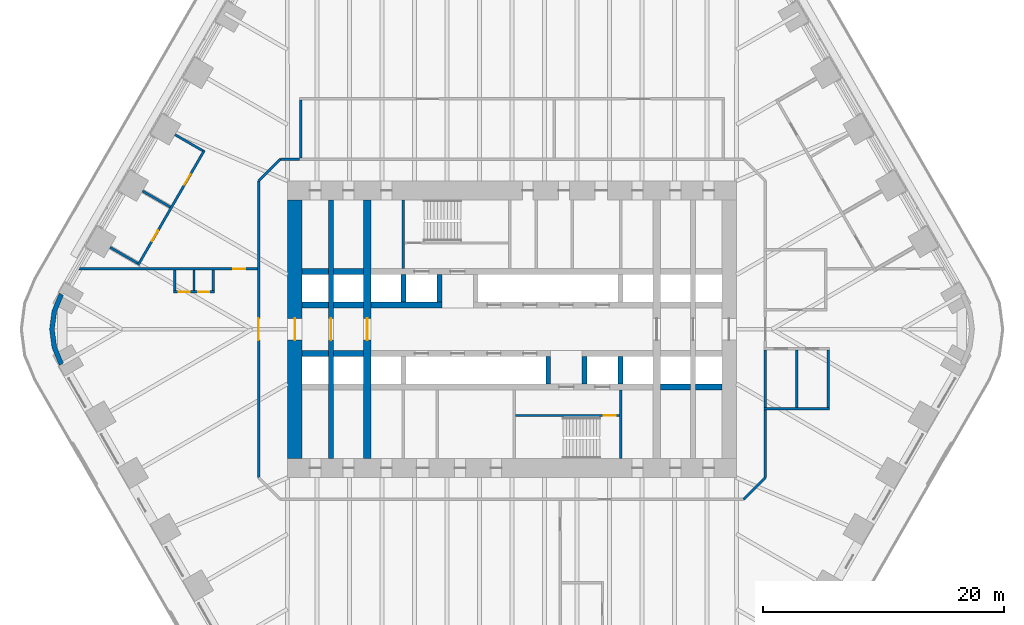
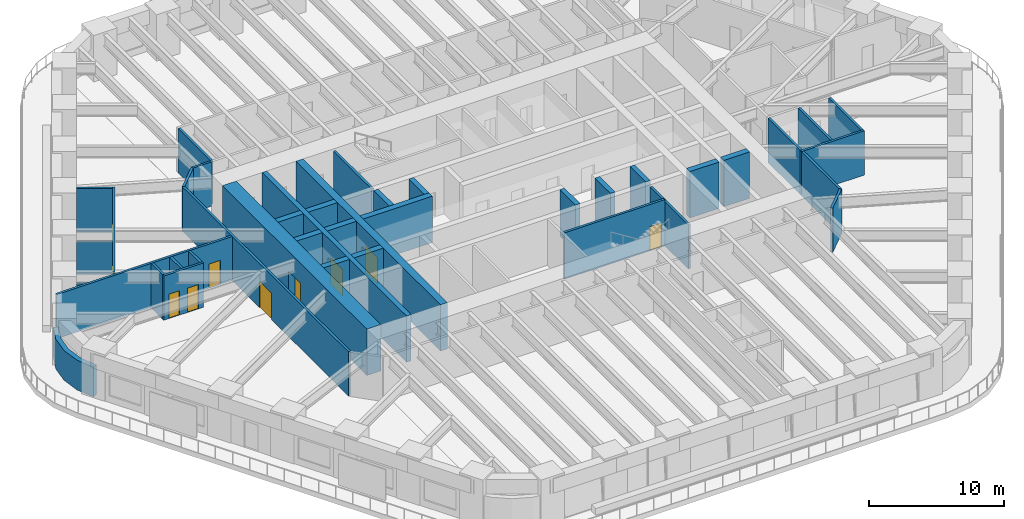
# One storey, part 17 of 23: 40 walls, 10 doors, 10 openings.
"""IFC4 building model written with IfcOpenShell, lengths in metres."""

import ifcopenshell
import ifcopenshell.guid

model = None  # the IFC model being written
_history = None  # IfcOwnerHistory: only IFC2X3 demands one
_inside = {}  # id of a spatial element -> (the spatial element, [elements in it])
_under = {}  # id of a project, library or spatial element -> (it, [spatial elements below it])
_declared = {}  # id of a project -> (the project, [libraries it declares])
_typed = {}  # id of a type object -> (the type object, [elements of that type])
_made_of = {}  # id of a material, layer set ... -> (it, [elements and type objects made of it])


def new_model(schema):
    """Start an empty IFC model of exactly this schema.

    Asked for "IFC4X3", IfcOpenShell would pick the latest addendum, in which some entities
    have other attributes; the version numbers below select the first issue.
    IFC2X3 requires an IfcOwnerHistory on every rooted entity: one is made here for all.
    """
    global model, _history
    if schema == "IFC4X3":
        model = ifcopenshell.file(schema_version=(4, 3, 0, 0))
    else:
        model = ifcopenshell.file(schema=schema)
    _inside.clear()
    _under.clear()
    _declared.clear()
    _typed.clear()
    _made_of.clear()
    _history = None
    if model.schema == "IFC2X3":
        org = make("IfcOrganization", Name="unknown")
        user = make(
            "IfcPersonAndOrganization",
            ThePerson=make("IfcPerson", FamilyName="unknown"),
            TheOrganization=org,
        )
        app = make(
            "IfcApplication",
            ApplicationDeveloper=org,
            Version="unknown",
            ApplicationFullName="unknown",
            ApplicationIdentifier="unknown",
        )
        _history = make(
            "IfcOwnerHistory",
            OwningUser=user,
            OwningApplication=app,
            ChangeAction="ADDED",
            CreationDate=0,
        )
    return model


def make(cls, **values):
    """One entity of the class cls with the attributes given. An attribute that is None is left unset."""
    return model.create_entity(
        cls, **{name: value for name, value in values.items() if value is not None}
    )


def rooted(cls, **values):
    """An entity with a GlobalId (a new one), such as an element, a storey or a relation."""
    return make(cls, GlobalId=ifcopenshell.guid.new(), OwnerHistory=_history, **values)


def si_unit(unit_type, name, prefix=None):
    """IfcSIUnit, for example si_unit("LENGTHUNIT", "METRE", prefix="MILLI")."""
    return make("IfcSIUnit", UnitType=unit_type, Prefix=prefix, Name=name)


def assignment(units):
    """IfcUnitAssignment: the units of a project."""
    return None if units is None else make("IfcUnitAssignment", Units=units)


def point(xyz):
    """IfcCartesianPoint."""
    return None if xyz is None else make("IfcCartesianPoint", Coordinates=xyz)


def direction(xyz):
    """IfcDirection."""
    return None if xyz is None else make("IfcDirection", DirectionRatios=xyz)


def frame(location, z_axis=None, x_axis=None):
    """IfcAxis2Placement3D, a coordinate frame: its origin and axes. An axis left out is left unset."""
    return make(
        "IfcAxis2Placement3D",
        Location=point(location),
        Axis=direction(z_axis),
        RefDirection=direction(x_axis),
    )


def frame_2d(location, x_axis=None):
    """IfcAxis2Placement2D, a coordinate frame in the plane: its origin and x axis."""
    return make(
        "IfcAxis2Placement2D", Location=point(location), RefDirection=direction(x_axis)
    )


def origin():
    """The frame at (0, 0, 0) with its axes left unset."""
    return frame((0.0, 0.0, 0.0))


def place(relative_to, where):
    """IfcLocalPlacement: puts the frame where relative to a parent placement (None: the world)."""
    return make(
        "IfcLocalPlacement", PlacementRelTo=relative_to, RelativePlacement=where
    )


def context(
    kind, dimensions, precision=None, world=None, true_north=None, identifier=None
):
    """IfcGeometricRepresentationContext, for example the 3D "Model" context."""
    return make(
        "IfcGeometricRepresentationContext",
        ContextIdentifier=identifier,
        ContextType=kind,
        CoordinateSpaceDimension=dimensions,
        Precision=precision,
        WorldCoordinateSystem=world,
        TrueNorth=true_north,
    )


def subcontext(parent, identifier, kind, view, scale=None):
    """IfcGeometricRepresentationSubContext, for example "Body" below "Model"."""
    return make(
        "IfcGeometricRepresentationSubContext",
        ContextIdentifier=identifier,
        ContextType=kind,
        ParentContext=parent,
        TargetScale=scale,
        TargetView=view,
    )


def project(units=None, contexts=None):
    """IfcProject with its units and contexts."""
    return rooted(
        "IfcProject",
        Name="project",
        RepresentationContexts=contexts,
        UnitsInContext=assignment(units),
    )


def spatial(cls, under=None, at=None, **own):
    """A site, building, storey or space (cls), placed at a placement, below another one or the project."""
    s = rooted(cls, ObjectPlacement=at, **own)
    if under is not None:
        _under.setdefault(under.id(), (under, []))[1].append(s)
    return s


def polyline(points):
    """IfcPolyline through the points."""
    return make("IfcPolyline", Points=[point(p) for p in points])


def profile(cls, at=None, kind="AREA", **sizes):
    """A parametric profile (cls). Its sizes go by their IFC names, for example OverallWidth=200.0."""
    return make(cls, ProfileType=kind, Position=at, **sizes)


def rectangle(**sizes):
    """IfcRectangleProfileDef."""
    return profile("IfcRectangleProfileDef", **sizes)


def outline(outer, holes=None, kind="AREA"):
    """IfcArbitraryClosedProfileDef: a profile drawn as a closed curve; with holes, ...WithVoids."""
    if holes is None:
        return make("IfcArbitraryClosedProfileDef", ProfileType=kind, OuterCurve=outer)
    return make(
        "IfcArbitraryProfileDefWithVoids",
        ProfileType=kind,
        OuterCurve=outer,
        InnerCurves=holes,
    )


def extrude(swept, where, along, depth):
    """IfcExtrudedAreaSolid: the profile swept, set in the frame where, extruded along a direction by depth."""
    return make(
        "IfcExtrudedAreaSolid",
        SweptArea=swept,
        Position=where,
        ExtrudedDirection=direction(along),
        Depth=depth,
    )


def shape(context_of_items, identifier, shape_type, items):
    """IfcShapeRepresentation: the items that make up one representation, for example the "Body"."""
    return make(
        "IfcShapeRepresentation",
        ContextOfItems=context_of_items,
        RepresentationIdentifier=identifier,
        RepresentationType=shape_type,
        Items=items,
    )


def material(Name=None, Category=None):
    """IfcMaterial."""
    return make("IfcMaterial", Name=Name, Category=Category)


def layer(
    of_material, thickness, ventilated=None, Name=None, Category=None, Priority=None
):
    """IfcMaterialLayer: one layer of a wall or slab, of a material (None: an air gap)."""
    return make(
        "IfcMaterialLayer",
        Material=of_material,
        LayerThickness=thickness,
        IsVentilated=ventilated,
        Name=Name,
        Category=Category,
        Priority=Priority,
    )


def layer_set(layers, Name=None):
    """IfcMaterialLayerSet."""
    return make("IfcMaterialLayerSet", MaterialLayers=layers, LayerSetName=Name)


def made_of(thing, what):
    """Note that an element or type object is made of a material, layer set ...; save() writes the relation."""
    if what is not None:
        _made_of.setdefault(what.id(), (what, []))[1].append(thing)
    return thing


def type_object(cls, material=None, **own):
    """A type object (cls), such as IfcWallType, which elements share."""
    return made_of(rooted(cls, **own), material)


def element(
    cls,
    number,
    at=None,
    inside=None,
    cuts=None,
    type_object=None,
    material=None,
    context=None,
    identifier="Body",
    shape_type=None,
    held_by="IfcProductDefinitionShape",
    body=None,
    shapes=None,
    **own,
):
    """One element of the class cls, such as IfcWall. Its Tag is "e" and its number.

    at: its placement. inside: the storey or other place that contains it. cuts: it is an
    opening in that element (IfcRelVoidsElement). A single representation is given by context,
    identifier, shape_type and body (its items); several are given by shapes. held_by: the class
    of the entity that holds the representations. save() writes the other relations.
    """
    e = rooted(cls, Tag="e%d" % number, ObjectPlacement=at, **own)
    if body is not None:
        shapes = [shape(context, identifier, shape_type, body)]
    if shapes is not None:
        e.Representation = make(held_by, Representations=shapes)
    if inside is not None:
        _inside.setdefault(inside.id(), (inside, []))[1].append(e)
    if cuts is not None:
        rooted(
            "IfcRelVoidsElement", RelatingBuildingElement=cuts, RelatedOpeningElement=e
        )
    if type_object is not None:
        _typed.setdefault(type_object.id(), (type_object, []))[1].append(e)
    return made_of(e, material)


def fill(opening, filler):
    """IfcRelFillsElement: the door or window that sits in an opening."""
    return rooted(
        "IfcRelFillsElement",
        RelatingOpeningElement=opening,
        RelatedBuildingElement=filler,
    )


def aggregate(whole, parts):
    """IfcRelAggregates: a whole, such as a stair, and the parts it consists of."""
    return rooted("IfcRelAggregates", RelatingObject=whole, RelatedObjects=parts)


def save(model, path):
    """Write the relations noted so far, then the file.

    IfcRelAggregates (storeys below a building ...), IfcRelContainedInSpatialStructure (elements
    in a storey), IfcRelDefinesByType, IfcRelAssociatesMaterial and IfcRelDeclares: one each for
    every whole, place, type object, material and project.
    """
    for whole, parts in _under.values():
        aggregate(whole, parts)
    for where, things in _inside.values():
        rooted(
            "IfcRelContainedInSpatialStructure",
            RelatedElements=things,
            RelatingStructure=where,
        )
    for kind, things in _typed.values():
        rooted("IfcRelDefinesByType", RelatedObjects=things, RelatingType=kind)
    for what, things in _made_of.values():
        rooted("IfcRelAssociatesMaterial", RelatedObjects=things, RelatingMaterial=what)
    for by, libraries in _declared.values():
        rooted("IfcRelDeclares", RelatingContext=by, RelatedDefinitions=libraries)
    model.write(path)


model = new_model("IFC4")

# Units and contexts
model_context = context("Model", 3, precision=1e-05, world=origin(), true_north=direction((0.0, 1.0)))
body_context = subcontext(model_context, "Body", "Model", "MODEL_VIEW")
ifc_project = project(units=[si_unit("LENGTHUNIT", "METRE"), si_unit("AREAUNIT", "SQUARE_METRE"), si_unit("VOLUMEUNIT", "CUBIC_METRE"), si_unit("PLANEANGLEUNIT", "RADIAN"), si_unit("MASSUNIT", "GRAM", prefix="KILO")], contexts=[model_context])

# Site, building, storey
site_placement = place(None, origin())
site = spatial("IfcSite", under=ifc_project, at=site_placement, CompositionType="ELEMENT")
building_placement = place(site_placement, origin())
building = spatial("IfcBuilding", under=site, at=building_placement, Name="Tarfa Lantern Tower", CompositionType="ELEMENT")
storey_placement = place(building_placement, frame((0.0, 0.0, 48.699951171875)))
storey = spatial("IfcBuildingStorey", under=building, at=storey_placement, Name="L10", CompositionType="ELEMENT", Elevation=48.699951171875)

# Walls
ifc_material_1 = material(Name="Limestone cladding on blockwork", Category="masonry")
ifc_layer_1 = layer(ifc_material_1, 0.39990234375)
ifc_layer_set_1 = layer_set([ifc_layer_1], Name="EW2 CURVED STONE CORNER 400")
wall_type_1 = type_object("IfcWallType", Name="EW2 CURVED STONE CORNER 400", PredefinedType="SOLIDWALL", material=ifc_layer_set_1)
wall_1_placement = place(storey_placement, origin())
element("IfcWall", 1, at=wall_1_placement, inside=storey, type_object=wall_type_1, Name="Stone corner NW-SW", PredefinedType="SOLIDWALL", context=body_context, shape_type="SweptSolid", body=[
    extrude(outline(polyline([(-37.52783203125, 3.0), (-38.127197265625, 1.552978515625), (-38.33154296875, 0.0), (-38.127197265625, -1.552978515625), (-37.52783203125, -3.0), (-37.181396484375, -2.800048828125), (-37.74072265625, -1.449462890625), (-37.931640625, 0.0), (-37.74072265625, 1.449462890625), (-37.181396484375, 2.800048828125), (-37.52783203125, 3.0)])), origin(), (0.0, 0.0, 1.0), 2.699951171875),
])
ifc_material_2 = material(Name="Concrete blockwork", Category="masonry")
ifc_layer_2 = layer(ifc_material_2, 0.199951171875)
ifc_layer_set_2 = layer_set([ifc_layer_2], Name="IW1 BLOCKWORK PARTITION 200 EI 120")
wall_type_2 = type_object("IfcWallType", Name="IW1 BLOCKWORK PARTITION 200 EI 120", PredefinedType="PARTITIONING", material=ifc_layer_set_2)
for number, where, z_axis, x_axis, name in (
    (2, (-9.0, 5.050048828125, 0.0), (0.0, 0.0, 1.0), (0.0, 1.0, 0.0), "Core partition"),
    (3, (9.0, -5.050048828125, 0.0), (0.0, 0.0, 1.0), (0.0, -1.0, 0.0), "Core partition"),
):
    element("IfcWall", number, at=place(storey_placement, frame(where, z_axis=z_axis, x_axis=x_axis)), inside=storey, type_object=wall_type_2, Name=name, PredefinedType="PARTITIONING", context=body_context, shape_type="SweptSolid", body=[
        extrude(rectangle(XDim=5.64990234375, YDim=0.199951171875, at=frame_2d((2.824951171875, 0.0))), origin(), (0.0, 0.0, 1.0), 4.0),
    ])
ifc_material_3 = material(Name="Gypsum board on steel studs", Category="steel")
ifc_layer_3 = layer(ifc_material_3, 0.2099609375)
ifc_layer_set_3 = layer_set([ifc_layer_3], Name="IW2 ACOUSTIC PARTITION 200")
wall_type_3 = type_object("IfcWallType", Name="IW2 ACOUSTIC PARTITION 200", PredefinedType="PARTITIONING", material=ifc_layer_set_3)
wall_2_placement = place(storey_placement, frame((-17.5, 14.199951171875, 0.0), z_axis=(0.0, 0.0, 1.0), x_axis=(0.0, 1.0, 0.0)))
element("IfcWall", 4, at=wall_2_placement, inside=storey, type_object=wall_type_3, Name="Partition", PredefinedType="PARTITIONING", context=body_context, shape_type="SweptSolid", body=[
    extrude(rectangle(XDim=4.800048828125, YDim=0.199951171875, at=frame_2d((2.39990234375, 0.0))), origin(), (0.0, 0.0, 1.0), 4.0),
])

# Wall, openings, doors
wall_3_placement = place(storey_placement, frame((-25.497802734375, 14.836669921875, 0.0), z_axis=(0.0, 0.0, 1.0), x_axis=(-0.499992624997, -0.866029661703, 0.0)))
wall_3 = element("IfcWall", 5, at=wall_3_placement, inside=storey, type_object=wall_type_3, Name="Partition", PredefinedType="PARTITIONING", context=body_context, shape_type="SweptSolid", body=[
    extrude(rectangle(XDim=10.977294921875, YDim=0.199951171875, at=frame_2d((5.48876953125, 0.0))), origin(), (0.0, 0.0, 1.0), 4.0),
])
opening_1_placement = place(wall_3_placement, frame((2.294189453125, 0.0, 0.0)))
opening_1 = element("IfcOpeningElement", 6, at=opening_1_placement, cuts=wall_3, Name="Opening D35", PredefinedType="OPENING", context=body_context, shape_type="SweptSolid", body=[
    extrude(rectangle(XDim=1.0, YDim=2.199951171875, at=frame_2d((0.5, 1.10009765625))), frame((0.0, 0.10986328125, 0.0), z_axis=(0.0, -1.0, 0.0), x_axis=(1.0, 0.0, 0.0)), (0.0, 0.0, 1.0), 0.219970703125),
])
opening_2_placement = place(wall_3_placement, frame((7.682861328125, 0.0, 0.0)))
opening_2 = element("IfcOpeningElement", 7, at=opening_2_placement, cuts=wall_3, Name="Opening D36", PredefinedType="OPENING", context=body_context, shape_type="SweptSolid", body=[
    extrude(rectangle(XDim=1.0, YDim=2.199951171875, at=frame_2d((0.5, 1.10009765625))), frame((0.0, 0.10986328125, 0.0), z_axis=(0.0, -1.0, 0.0), x_axis=(1.0, 0.0, 0.0)), (0.0, 0.0, 1.0), 0.219970703125),
])
ifc_material_4 = material(Name="Timber door", Category="wood")
door_type_1 = type_object("IfcDoorType", Name="DR1 ROOM DOOR 1000x2200", OperationType="SINGLE_SWING_LEFT", PredefinedType="DOOR", material=ifc_material_4)
door_1_placement = place(opening_1_placement, frame((1.0, 0.0, 0.0), z_axis=(0.0, 0.0, 1.0), x_axis=(-1.0, 0.0, 0.0)))
door_1 = element("IfcDoor", 8, at=door_1_placement, inside=storey, type_object=door_type_1, Name="Store door", OperationType="SINGLE_SWING_LEFT", OverallHeight=2.199951171875, OverallWidth=1.0, PredefinedType="DOOR", context=body_context, shape_type="SweptSolid", body=[
    extrude(rectangle(XDim=1.0, YDim=2.199951171875, at=frame_2d((0.5, 1.10009765625))), frame((0.0, 0.02490234375, 0.0), z_axis=(0.0, -1.0, 0.0), x_axis=(1.0, 0.0, 0.0)), (0.0, 0.0, 1.0), 0.050048828125),
])
fill(opening_1, door_1)
door_2_placement = place(opening_2_placement, frame((1.0, 0.0, 0.0), z_axis=(0.0, 0.0, 1.0), x_axis=(-1.0, 0.0, 0.0)))
door_2 = element("IfcDoor", 9, at=door_2_placement, inside=storey, type_object=door_type_1, Name="Print room door", OperationType="SINGLE_SWING_RIGHT", OverallHeight=2.199951171875, OverallWidth=1.0, PredefinedType="DOOR", context=body_context, shape_type="SweptSolid", body=[
    extrude(rectangle(XDim=1.0, YDim=2.199951171875, at=frame_2d((0.5, 1.10009765625))), frame((0.0, 0.02490234375, 0.0), z_axis=(0.0, -1.0, 0.0), x_axis=(1.0, 0.0, 0.0)), (0.0, 0.0, 1.0), 0.050048828125),
])
fill(opening_2, door_2)

# Walls
wall_4_placement = place(storey_placement, frame((-25.63427734375, 14.800048828125, 0.0), z_axis=(0.0, 0.0, 1.0), x_axis=(-0.866029095148, 0.499993606316, 0.0)))
element("IfcWall", 10, at=wall_4_placement, inside=storey, type_object=wall_type_3, Name="Partition", PredefinedType="PARTITIONING", context=body_context, shape_type="SweptSolid", body=[
    extrude(rectangle(XDim=2.64990234375, YDim=0.199951171875, at=frame_2d((1.324951171875, 0.0))), origin(), (0.0, 0.0, 1.0), 4.0),
])
wall_5_placement = place(storey_placement, frame((-28.32861328125, 10.13330078125, 0.0), z_axis=(0.0, 0.0, 1.0), x_axis=(-0.866029095148, 0.499993606316, 0.0)))
element("IfcWall", 11, at=wall_5_placement, inside=storey, type_object=wall_type_3, Name="Partition", PredefinedType="PARTITIONING", context=body_context, shape_type="SweptSolid", body=[
    extrude(rectangle(XDim=2.64990234375, YDim=0.199951171875, at=frame_2d((1.324951171875, 0.0))), origin(), (0.0, 0.0, 1.0), 2.944091796875),
])
wall_6_placement = place(storey_placement, frame((-31.02294921875, 5.466552734375, 0.0), z_axis=(0.0, 0.0, 1.0), x_axis=(-0.865989200783, 0.500062700197, 0.0)))
element("IfcWall", 12, at=wall_6_placement, inside=storey, type_object=wall_type_3, Name="Partition", PredefinedType="PARTITIONING", context=body_context, shape_type="SweptSolid", body=[
    extrude(rectangle(XDim=2.650146484375, YDim=0.199951171875, at=frame_2d((1.3251953125, 0.0))), origin(), (0.0, 0.0, 1.0), 2.944091796875),
])
wall_7_placement = place(storey_placement, frame((20.89990234375, -6.60009765625, 0.0), z_axis=(0.0, 0.0, 1.0), x_axis=(1.0, 0.0, 0.0)))
element("IfcWall", 13, at=wall_7_placement, inside=storey, type_object=wall_type_3, Name="Partition", PredefinedType="PARTITIONING", context=body_context, shape_type="SweptSolid", body=[
    extrude(rectangle(XDim=5.400146484375, YDim=0.199951171875, at=frame_2d((2.7001953125, 0.0))), origin(), (0.0, 0.0, 1.0), 4.0),
])
for number, where, z_axis, x_axis, name in (
    (14, (21.0, -1.699951171875, 0.0), (0.0, 0.0, 1.0), (0.0, -1.0, 0.0), "Partition"),
    (15, (23.60009765625, -1.699951171875, 0.0), (0.0, 0.0, 1.0), (0.0, -1.0, 0.0), "Partition"),
    (16, (26.199951171875, -1.699951171875, 0.0), (0.0, 0.0, 1.0), (0.0, -1.0, 0.0), "Partition"),
):
    element("IfcWall", number, at=place(storey_placement, frame(where, z_axis=z_axis, x_axis=x_axis)), inside=storey, type_object=wall_type_3, Name=name, PredefinedType="PARTITIONING", context=body_context, shape_type="SweptSolid", body=[
        extrude(rectangle(XDim=4.800048828125, YDim=0.199951171875, at=frame_2d((2.39990234375, 0.0))), origin(), (0.0, 0.0, 1.0), 4.0),
    ])
wall_8_placement = place(storey_placement, frame((-19.199951171875, 14.10009765625, 0.0), z_axis=(0.0, 0.0, 1.0), x_axis=(1.0, 0.0, 0.0)))
element("IfcWall", 17, at=wall_8_placement, inside=storey, type_object=wall_type_3, Name="Partition", PredefinedType="PARTITIONING", context=body_context, shape_type="SweptSolid", body=[
    extrude(rectangle(XDim=1.599853515625, YDim=0.199951171875, at=frame_2d((0.7998046875, 0.0))), origin(), (0.0, 0.0, 1.0), 4.0),
])
wall_9_placement = place(storey_placement, frame((21.0, -6.700927734375, 0.0), z_axis=(0.0, 0.0, 1.0), x_axis=(0.0, -1.0, 0.0)))
element("IfcWall", 18, at=wall_9_placement, inside=storey, type_object=wall_type_3, Name="Partition", PredefinedType="PARTITIONING", context=body_context, shape_type="SweptSolid", body=[
    extrude(rectangle(XDim=5.59912109375, YDim=0.199951171875, at=frame_2d((2.799560546875, 0.0))), origin(), (0.0, 0.0, 1.0), 4.0),
])
wall_10_placement = place(storey_placement, frame((21.0, -12.300048828125, 0.0), z_axis=(0.0, 0.0, 1.0), x_axis=(-0.707106781187, -0.707106781187, 0.0)))
element("IfcWall", 19, at=wall_10_placement, inside=storey, type_object=wall_type_3, Name="Partition", PredefinedType="PARTITIONING", context=body_context, shape_type="SweptSolid", body=[
    extrude(rectangle(XDim=2.545654296875, YDim=0.199951171875, at=frame_2d((1.27294921875, 0.0))), origin(), (0.0, 0.0, 1.0), 4.0),
])

# Wall, opening, door
wall_11_placement = place(storey_placement, frame((-21.0, -12.300048828125, 0.0), z_axis=(0.0, 0.0, 1.0), x_axis=(0.0, 1.0, 0.0)))
wall_11 = element("IfcWall", 20, at=wall_11_placement, inside=storey, type_object=wall_type_3, Name="Partition", PredefinedType="PARTITIONING", context=body_context, shape_type="SweptSolid", body=[
    extrude(rectangle(XDim=24.60009765625, YDim=0.199951171875, at=frame_2d((12.300048828125, 0.0))), origin(), (0.0, 0.0, 1.0), 4.0),
])
opening_3_placement = place(wall_11_placement, frame((11.39990234375, 0.0, 0.0)))
opening_3 = element("IfcOpeningElement", 21, at=opening_3_placement, cuts=wall_11, Name="Opening D45", PredefinedType="OPENING", context=body_context, shape_type="SweptSolid", body=[
    extrude(rectangle(XDim=1.800048828125, YDim=2.39990234375, at=frame_2d((0.89990234375, 1.199951171875))), frame((0.0, 0.10986328125, 0.0), z_axis=(0.0, -1.0, 0.0), x_axis=(1.0, 0.0, 0.0)), (0.0, 0.0, 1.0), 0.219970703125),
])
door_type_2 = type_object("IfcDoorType", Name="DR2 ROOM DOOR 1800x2400", OperationType="DOUBLE_DOOR_SINGLE_SWING", PredefinedType="DOOR", material=ifc_material_4)
door_3_placement = place(opening_3_placement, origin())
door_3 = element("IfcDoor", 22, at=door_3_placement, inside=storey, type_object=door_type_2, Name="Corridor door", OperationType="DOUBLE_DOOR_SINGLE_SWING", OverallHeight=2.39990234375, OverallWidth=1.800048828125, PredefinedType="DOOR", context=body_context, shape_type="SweptSolid", body=[
    extrude(rectangle(XDim=1.800048828125, YDim=2.39990234375, at=frame_2d((0.89990234375, 1.199951171875))), frame((0.0, 0.02490234375, 0.0), z_axis=(0.0, -1.0, 0.0), x_axis=(1.0, 0.0, 0.0)), (0.0, 0.0, 1.0), 0.050048828125),
])
fill(opening_3, door_3)

# Wall
wall_12_placement = place(storey_placement, frame((-21.0, 12.300048828125, 0.0), z_axis=(0.0, 0.0, 1.0), x_axis=(0.707106781187, 0.707106781187, 0.0)))
element("IfcWall", 23, at=wall_12_placement, inside=storey, type_object=wall_type_3, Name="Partition", PredefinedType="PARTITIONING", context=body_context, shape_type="SweptSolid", body=[
    extrude(rectangle(XDim=2.545654296875, YDim=0.199951171875, at=frame_2d((1.27294921875, 0.0))), origin(), (0.0, 0.0, 1.0), 4.0),
])

# Wall, opening, door
wall_13_placement = place(storey_placement, frame((-21.10009765625, 5.0, 0.0), z_axis=(0.0, 0.0, 1.0), x_axis=(-1.0, 0.0, 0.0)))
wall_13 = element("IfcWall", 24, at=wall_13_placement, inside=storey, type_object=wall_type_3, Name="Partition", PredefinedType="PARTITIONING", context=body_context, shape_type="SweptSolid", body=[
    extrude(rectangle(XDim=15.018798828125, YDim=0.199951171875, at=frame_2d((7.50927734375, 0.0))), origin(), (0.0, 0.0, 1.0), 4.0),
])
opening_4_placement = place(wall_13_placement, frame((1.001953125, 0.0, 0.0)))
opening_4 = element("IfcOpeningElement", 25, at=opening_4_placement, cuts=wall_13, Name="Opening D48", PredefinedType="OPENING", context=body_context, shape_type="SweptSolid", body=[
    extrude(rectangle(XDim=1.0, YDim=2.199951171875, at=frame_2d((0.5, 1.10009765625))), frame((0.0, 0.10986328125, 0.0), z_axis=(0.0, -1.0, 0.0), x_axis=(1.0, 0.0, 0.0)), (0.0, 0.0, 1.0), 0.219970703125),
])
door_4_placement = place(opening_4_placement, origin())
door_4 = element("IfcDoor", 26, at=door_4_placement, inside=storey, type_object=door_type_1, Name="Zone door", OperationType="SINGLE_SWING_RIGHT", OverallHeight=2.199951171875, OverallWidth=1.0, PredefinedType="DOOR", context=body_context, shape_type="SweptSolid", body=[
    extrude(rectangle(XDim=1.0, YDim=2.199951171875, at=frame_2d((0.5, 1.10009765625))), frame((0.0, 0.02490234375, 0.0), z_axis=(0.0, -1.0, 0.0), x_axis=(1.0, 0.0, 0.0)), (0.0, 0.0, 1.0), 0.050048828125),
])
fill(opening_4, door_4)

# Wall, openings, doors
wall_14_placement = place(storey_placement, frame((-24.65673828125, 3.10009765625, 0.0), z_axis=(0.0, 0.0, 1.0), x_axis=(-1.0, 0.0, 0.0)))
wall_14 = element("IfcWall", 27, at=wall_14_placement, inside=storey, type_object=wall_type_3, Name="Partition", PredefinedType="PARTITIONING", context=body_context, shape_type="SweptSolid", body=[
    extrude(rectangle(XDim=3.39990234375, YDim=0.199951171875, at=frame_2d((1.699951171875, 0.0))), origin(), (0.0, 0.0, 1.0), 4.0),
])
opening_5_placement = place(wall_14_placement, frame((0.449951171875, 0.0, 0.0)))
opening_5 = element("IfcOpeningElement", 28, at=opening_5_placement, cuts=wall_14, Name="Opening D41", PredefinedType="OPENING", context=body_context, shape_type="SweptSolid", body=[
    extrude(rectangle(XDim=0.89990234375, YDim=2.199951171875, at=frame_2d((0.449951171875, 1.10009765625))), frame((0.0, 0.10986328125, 0.0), z_axis=(0.0, -1.0, 0.0), x_axis=(1.0, 0.0, 0.0)), (0.0, 0.0, 1.0), 0.219970703125),
])
opening_6_placement = place(wall_14_placement, frame((2.050048828125, 0.0, 0.0)))
opening_6 = element("IfcOpeningElement", 29, at=opening_6_placement, cuts=wall_14, Name="Opening D42", PredefinedType="OPENING", context=body_context, shape_type="SweptSolid", body=[
    extrude(rectangle(XDim=0.89990234375, YDim=2.199951171875, at=frame_2d((0.449951171875, 1.10009765625))), frame((0.0, 0.10986328125, 0.0), z_axis=(0.0, -1.0, 0.0), x_axis=(1.0, 0.0, 0.0)), (0.0, 0.0, 1.0), 0.219970703125),
])
door_type_3 = type_object("IfcDoorType", Name="DR3 ROOM DOOR 900x2200", OperationType="SINGLE_SWING_LEFT", PredefinedType="DOOR", material=ifc_material_4)
door_5_placement = place(opening_5_placement, frame((0.89990234375, 0.0, 0.0), z_axis=(0.0, 0.0, 1.0), x_axis=(-1.0, 0.0, 0.0)))
door_5 = element("IfcDoor", 30, at=door_5_placement, inside=storey, type_object=door_type_3, Name="Phone booth door", OperationType="SINGLE_SWING_LEFT", OverallHeight=2.199951171875, OverallWidth=0.89990234375, PredefinedType="DOOR", context=body_context, shape_type="SweptSolid", body=[
    extrude(rectangle(XDim=0.89990234375, YDim=2.199951171875, at=frame_2d((0.449951171875, 1.10009765625))), frame((0.0, 0.02490234375, 0.0), z_axis=(0.0, -1.0, 0.0), x_axis=(1.0, 0.0, 0.0)), (0.0, 0.0, 1.0), 0.050048828125),
])
fill(opening_5, door_5)
door_6_placement = place(opening_6_placement, frame((0.89990234375, 0.0, 0.0), z_axis=(0.0, 0.0, 1.0), x_axis=(-1.0, 0.0, 0.0)))
door_6 = element("IfcDoor", 31, at=door_6_placement, inside=storey, type_object=door_type_3, Name="Phone booth door", OperationType="SINGLE_SWING_RIGHT", OverallHeight=2.199951171875, OverallWidth=0.89990234375, PredefinedType="DOOR", context=body_context, shape_type="SweptSolid", body=[
    extrude(rectangle(XDim=0.89990234375, YDim=2.199951171875, at=frame_2d((0.449951171875, 1.10009765625))), frame((0.0, 0.02490234375, 0.0), z_axis=(0.0, -1.0, 0.0), x_axis=(1.0, 0.0, 0.0)), (0.0, 0.0, 1.0), 0.050048828125),
])
fill(opening_6, door_6)

# Walls
for number, where, z_axis, x_axis, name in (
    (32, (-24.756591796875, 4.89990234375, 0.0), (0.0, 0.0, 1.0), (0.0, -1.0, 0.0), "Partition"),
    (33, (-26.356689453125, 4.89990234375, 0.0), (0.0, 0.0, 1.0), (0.0, -1.0, 0.0), "Partition"),
    (34, (-27.95654296875, 4.89990234375, 0.0), (0.0, 0.0, 1.0), (0.0, -1.0, 0.0), "Partition"),
):
    element("IfcWall", number, at=place(storey_placement, frame(where, z_axis=z_axis, x_axis=x_axis)), inside=storey, type_object=wall_type_3, Name=name, PredefinedType="PARTITIONING", context=body_context, shape_type="SweptSolid", body=[
        extrude(rectangle(XDim=1.699951171875, YDim=0.199951171875, at=frame_2d((0.85009765625, 0.0))), origin(), (0.0, 0.0, 1.0), 4.0),
    ])

# Wall, opening, door
ifc_material_5 = material(Name="Concrete C80/95", Category="concrete")
ifc_layer_4 = layer(ifc_material_5, 1.199951171875)
ifc_layer_set_4 = layer_set([ifc_layer_4], Name="SW1 CORE WALL 1200")
wall_type_4 = type_object("IfcWallType", Name="SW1 CORE WALL 1200", PredefinedType="SHEAR", material=ifc_layer_set_4)
wall_15_placement = place(storey_placement, frame((-18.0, 10.699951171875, 0.0), z_axis=(0.0, 0.0, 1.0), x_axis=(0.0, -1.0, 0.0)))
wall_15 = element("IfcWall", 35, at=wall_15_placement, inside=storey, type_object=wall_type_4, Name="Core wall W", PredefinedType="SHEAR", context=body_context, shape_type="SweptSolid", body=[
    extrude(rectangle(XDim=21.39990234375, YDim=1.199951171875, at=frame_2d((10.699951171875, 0.0))), origin(), (0.0, 0.0, 1.0), 4.199951171875),
])
opening_7_placement = place(wall_15_placement, frame((9.800048828125, 0.0, 0.0)))
opening_7 = element("IfcOpeningElement", 36, at=opening_7_placement, cuts=wall_15, Name="Opening D16", PredefinedType="OPENING", context=body_context, shape_type="SweptSolid", body=[
    extrude(rectangle(XDim=1.800048828125, YDim=2.39990234375, at=frame_2d((0.89990234375, 1.199951171875))), frame((0.0, 0.60986328125, 0.0), z_axis=(0.0, -1.0, 0.0), x_axis=(1.0, 0.0, 0.0)), (0.0, 0.0, 1.0), 1.219970703125),
])
ifc_material_6 = material(Name="Steel fire door", Category="steel")
door_type_4 = type_object("IfcDoorType", Name="DL1 LOBBY DOOR 1800x2400", OperationType="DOUBLE_DOOR_SINGLE_SWING", PredefinedType="DOOR", material=ifc_material_6)
door_7_placement = place(opening_7_placement, frame((1.800048828125, 0.0, 0.0), z_axis=(0.0, 0.0, 1.0), x_axis=(-1.0, 0.0, 0.0)))
door_7 = element("IfcDoor", 37, at=door_7_placement, inside=storey, type_object=door_type_4, Name="Lift lobby door", OperationType="DOUBLE_DOOR_SINGLE_SWING", OverallHeight=2.39990234375, OverallWidth=1.800048828125, PredefinedType="DOOR", context=body_context, shape_type="SweptSolid", body=[
    extrude(rectangle(XDim=1.800048828125, YDim=2.39990234375, at=frame_2d((0.89990234375, 1.199951171875))), frame((0.0, 0.02490234375, 0.0), z_axis=(0.0, -1.0, 0.0), x_axis=(1.0, 0.0, 0.0)), (0.0, 0.0, 1.0), 0.050048828125),
])
fill(opening_7, door_7)

ifc_layer_5 = layer(ifc_material_5, 0.199951171875)
ifc_layer_set_5 = layer_set([ifc_layer_5], Name="SW12 CORE WALL 200")
wall_type_5 = type_object("IfcWallType", Name="SW12 CORE WALL 200", PredefinedType="SHEAR", material=ifc_layer_set_5)
wall_16_placement = place(storey_placement, frame((8.89990234375, -7.14990234375, 0.0), z_axis=(0.0, 0.0, 1.0), x_axis=(-1.0, 0.0, 0.0)))
wall_16 = element("IfcWall", 38, at=wall_16_placement, inside=storey, type_object=wall_type_5, Name="Core wall stair partition S", PredefinedType="SHEAR", context=body_context, shape_type="SweptSolid", body=[
    extrude(rectangle(XDim=8.599853515625, YDim=0.199951171875, at=frame_2d((4.2998046875, 0.0))), origin(), (0.0, 0.0, 1.0), 4.199951171875),
])
opening_8_placement = place(wall_16_placement, frame((0.300048828125, 0.0, 0.0)))
opening_8 = element("IfcOpeningElement", 39, at=opening_8_placement, cuts=wall_16, Name="Opening D24", PredefinedType="OPENING", context=body_context, shape_type="SweptSolid", body=[
    extrude(rectangle(XDim=1.0, YDim=2.199951171875, at=frame_2d((0.5, 1.10009765625))), frame((0.0, 0.10986328125, 0.0), z_axis=(0.0, -1.0, 0.0), x_axis=(1.0, 0.0, 0.0)), (0.0, 0.0, 1.0), 0.219970703125),
])
door_type_5 = type_object("IfcDoorType", Name="DF2 STAIR DOOR 1000x2200", OperationType="SINGLE_SWING_LEFT", PredefinedType="DOOR", material=ifc_material_6)
door_8_placement = place(opening_8_placement, origin())
door_8 = element("IfcDoor", 40, at=door_8_placement, inside=storey, type_object=door_type_5, Name="Stair door", OperationType="SINGLE_SWING_RIGHT", OverallHeight=2.199951171875, OverallWidth=1.0, PredefinedType="DOOR", context=body_context, shape_type="SweptSolid", body=[
    extrude(rectangle(XDim=1.0, YDim=2.199951171875, at=frame_2d((0.5, 1.10009765625))), frame((0.0, 0.02490234375, 0.0), z_axis=(0.0, -1.0, 0.0), x_axis=(1.0, 0.0, 0.0)), (0.0, 0.0, 1.0), 0.050048828125),
])
fill(opening_8, door_8)

# Walls
ifc_layer_6 = layer(ifc_material_5, 0.5)
ifc_layer_set_6 = layer_set([ifc_layer_6], Name="SW5 CORE WALL 500")
wall_type_6 = type_object("IfcWallType", Name="SW5 CORE WALL 500", PredefinedType="SHEAR", material=ifc_layer_set_6)
wall_17_placement = place(storey_placement, frame((-17.39990234375, 2.0, 0.0), z_axis=(0.0, 0.0, 1.0), x_axis=(1.0, 0.0, 0.0)))
element("IfcWall", 41, at=wall_17_placement, inside=storey, type_object=wall_type_6, Name="Core wall lobby west N", PredefinedType="SHEAR", context=body_context, shape_type="SweptSolid", body=[
    extrude(rectangle(XDim=2.199951171875, YDim=0.5, at=frame_2d((1.10009765625, 0.0))), origin(), (0.0, 0.0, 1.0), 4.199951171875),
])
wall_18_placement = place(storey_placement, frame((-14.800048828125, 2.0, 0.0), z_axis=(0.0, 0.0, 1.0), x_axis=(1.0, 0.0, 0.0)))
element("IfcWall", 42, at=wall_18_placement, inside=storey, type_object=wall_type_6, Name="Core wall lobby west N", PredefinedType="SHEAR", context=body_context, shape_type="SweptSolid", body=[
    extrude(rectangle(XDim=2.5, YDim=0.5, at=frame_2d((1.25, 0.0))), origin(), (0.0, 0.0, 1.0), 4.199951171875),
])
wall_19_placement = place(storey_placement, frame((-11.699951171875, 2.0, 0.0), z_axis=(0.0, 0.0, 1.0), x_axis=(1.0, 0.0, 0.0)))
element("IfcWall", 43, at=wall_19_placement, inside=storey, type_object=wall_type_6, Name="Core wall lobby west N", PredefinedType="SHEAR", context=body_context, shape_type="SweptSolid", body=[
    extrude(rectangle(XDim=5.89990234375, YDim=0.5, at=frame_2d((2.949951171875, 0.0))), origin(), (0.0, 0.0, 1.0), 4.199951171875),
])
wall_20_placement = place(storey_placement, frame((-17.39990234375, 4.800048828125, 0.0), z_axis=(0.0, 0.0, 1.0), x_axis=(1.0, 0.0, 0.0)))
element("IfcWall", 44, at=wall_20_placement, inside=storey, type_object=wall_type_6, Name="Core wall rear N", PredefinedType="SHEAR", context=body_context, shape_type="SweptSolid", body=[
    extrude(rectangle(XDim=2.199951171875, YDim=0.5, at=frame_2d((1.10009765625, 0.0))), origin(), (0.0, 0.0, 1.0), 4.199951171875),
])
for number, where, z_axis, x_axis, name in (
    (45, (-14.800048828125, 4.800048828125, 0.0), (0.0, 0.0, 1.0), (1.0, 0.0, 0.0), "Core wall rear N"),
    (46, (-12.300048828125, -2.0, 0.0), (0.0, 0.0, 1.0), (-1.0, 0.0, 0.0), "Core wall lobby east S"),
):
    element("IfcWall", number, at=place(storey_placement, frame(where, z_axis=z_axis, x_axis=x_axis)), inside=storey, type_object=wall_type_6, Name=name, PredefinedType="SHEAR", context=body_context, shape_type="SweptSolid", body=[
        extrude(rectangle(XDim=2.5, YDim=0.5, at=frame_2d((1.25, 0.0))), origin(), (0.0, 0.0, 1.0), 4.199951171875),
    ])
for number, where, z_axis, x_axis, name in (
    (47, (-15.199951171875, -2.0, 0.0), (0.0, 0.0, 1.0), (-1.0, 0.0, 0.0), "Core wall lobby east S"),
    (48, (17.39990234375, -4.800048828125, 0.0), (0.0, 0.0, 1.0), (-1.0, 0.0, 0.0), "Core wall rear S"),
):
    element("IfcWall", number, at=place(storey_placement, frame(where, z_axis=z_axis, x_axis=x_axis)), inside=storey, type_object=wall_type_6, Name=name, PredefinedType="SHEAR", context=body_context, shape_type="SweptSolid", body=[
        extrude(rectangle(XDim=2.199951171875, YDim=0.5, at=frame_2d((1.10009765625, 0.0))), origin(), (0.0, 0.0, 1.0), 4.199951171875),
    ])
wall_21_placement = place(storey_placement, frame((14.800048828125, -4.800048828125, 0.0), z_axis=(0.0, 0.0, 1.0), x_axis=(-1.0, 0.0, 0.0)))
element("IfcWall", 49, at=wall_21_placement, inside=storey, type_object=wall_type_6, Name="Core wall rear S", PredefinedType="SHEAR", context=body_context, shape_type="SweptSolid", body=[
    extrude(rectangle(XDim=2.5, YDim=0.5, at=frame_2d((1.25, 0.0))), origin(), (0.0, 0.0, 1.0), 4.199951171875),
])

# Wall, opening, door
ifc_layer_7 = layer(ifc_material_5, 0.39990234375)
ifc_layer_set_7 = layer_set([ifc_layer_7], Name="SW6 CORE WALL 400")
wall_type_7 = type_object("IfcWallType", Name="SW6 CORE WALL 400", PredefinedType="SHEAR", material=ifc_layer_set_7)
wall_22_placement = place(storey_placement, frame((-15.0, -10.699951171875, 0.0), z_axis=(0.0, 0.0, 1.0), x_axis=(0.0, 1.0, 0.0)))
wall_22 = element("IfcWall", 50, at=wall_22_placement, inside=storey, type_object=wall_type_7, Name="Core wall cross 15 m west", PredefinedType="SHEAR", context=body_context, shape_type="SweptSolid", body=[
    extrude(rectangle(XDim=21.39990234375, YDim=0.39990234375, at=frame_2d((10.699951171875, 0.0))), origin(), (0.0, 0.0, 1.0), 4.199951171875),
])
opening_9_placement = place(wall_22_placement, frame((9.800048828125, 0.0, 0.0)))
opening_9 = element("IfcOpeningElement", 51, at=opening_9_placement, cuts=wall_22, Name="Opening D28", PredefinedType="OPENING", context=body_context, shape_type="SweptSolid", body=[
    extrude(rectangle(XDim=1.800048828125, YDim=2.39990234375, at=frame_2d((0.89990234375, 1.199951171875))), frame((0.0, 0.2099609375, 0.0), z_axis=(0.0, -1.0, 0.0), x_axis=(1.0, 0.0, 0.0)), (0.0, 0.0, 1.0), 0.419921875),
])
door_9_placement = place(opening_9_placement, origin())
door_9 = element("IfcDoor", 52, at=door_9_placement, inside=storey, type_object=door_type_4, Name="Lift lobby door", OperationType="DOUBLE_DOOR_SINGLE_SWING", OverallHeight=2.39990234375, OverallWidth=1.800048828125, PredefinedType="DOOR", context=body_context, shape_type="SweptSolid", body=[
    extrude(rectangle(XDim=1.800048828125, YDim=2.39990234375, at=frame_2d((0.89990234375, 1.199951171875))), frame((0.0, 0.02490234375, 0.0), z_axis=(0.0, -1.0, 0.0), x_axis=(1.0, 0.0, 0.0)), (0.0, 0.0, 1.0), 0.050048828125),
])
fill(opening_9, door_9)

# Walls
for number, where, z_axis, x_axis, name in (
    (53, (-9.0, 2.25, 0.0), (0.0, 0.0, 1.0), (0.0, 1.0, 0.0), "Core wall divider N"),
    (54, (-6.0, 2.25, 0.0), (0.0, 0.0, 1.0), (0.0, 1.0, 0.0), "Core wall divider N"),
    (55, (9.0, -2.25, 0.0), (0.0, 0.0, 1.0), (0.0, -1.0, 0.0), "Core wall divider S"),
    (56, (6.0, -2.25, 0.0), (0.0, 0.0, 1.0), (0.0, -1.0, 0.0), "Core wall divider S"),
    (57, (3.0, -2.25, 0.0), (0.0, 0.0, 1.0), (0.0, -1.0, 0.0), "Core wall divider S"),
):
    element("IfcWall", number, at=place(storey_placement, frame(where, z_axis=z_axis, x_axis=x_axis)), inside=storey, type_object=wall_type_7, Name=name, PredefinedType="SHEAR", context=body_context, shape_type="SweptSolid", body=[
        extrude(rectangle(XDim=2.300048828125, YDim=0.39990234375, at=frame_2d((1.14990234375, 0.0))), origin(), (0.0, 0.0, 1.0), 4.199951171875),
    ])

# Wall, opening, door
ifc_layer_8 = layer(ifc_material_5, 0.60009765625)
ifc_layer_set_8 = layer_set([ifc_layer_8], Name="SW9 CORE WALL 600")
wall_type_8 = type_object("IfcWallType", Name="SW9 CORE WALL 600", PredefinedType="SHEAR", material=ifc_layer_set_8)
wall_23_placement = place(storey_placement, frame((-12.0, -10.699951171875, 0.0), z_axis=(0.0, 0.0, 1.0), x_axis=(0.0, 1.0, 0.0)))
wall_23 = element("IfcWall", 58, at=wall_23_placement, inside=storey, type_object=wall_type_8, Name="Core wall cross 12 m west", PredefinedType="SHEAR", context=body_context, shape_type="SweptSolid", body=[
    extrude(rectangle(XDim=21.39990234375, YDim=0.60009765625, at=frame_2d((10.699951171875, 0.0))), origin(), (0.0, 0.0, 1.0), 4.199951171875),
])
opening_10_placement = place(wall_23_placement, frame((9.800048828125, 0.0, 0.0)))
opening_10 = element("IfcOpeningElement", 59, at=opening_10_placement, cuts=wall_23, Name="Opening D27", PredefinedType="OPENING", context=body_context, shape_type="SweptSolid", body=[
    extrude(rectangle(XDim=1.800048828125, YDim=2.39990234375, at=frame_2d((0.89990234375, 1.199951171875))), frame((0.0, 0.31005859375, 0.0), z_axis=(0.0, -1.0, 0.0), x_axis=(1.0, 0.0, 0.0)), (0.0, 0.0, 1.0), 0.6201171875),
])
door_10_placement = place(opening_10_placement, origin())
door_10 = element("IfcDoor", 60, at=door_10_placement, inside=storey, type_object=door_type_4, Name="Lift lobby door", OperationType="DOUBLE_DOOR_SINGLE_SWING", OverallHeight=2.39990234375, OverallWidth=1.800048828125, PredefinedType="DOOR", context=body_context, shape_type="SweptSolid", body=[
    extrude(rectangle(XDim=1.800048828125, YDim=2.39990234375, at=frame_2d((0.89990234375, 1.199951171875))), frame((0.0, 0.02490234375, 0.0), z_axis=(0.0, -1.0, 0.0), x_axis=(1.0, 0.0, 0.0)), (0.0, 0.0, 1.0), 0.050048828125),
])
fill(opening_10, door_10)

save(model, "model.ifc")
